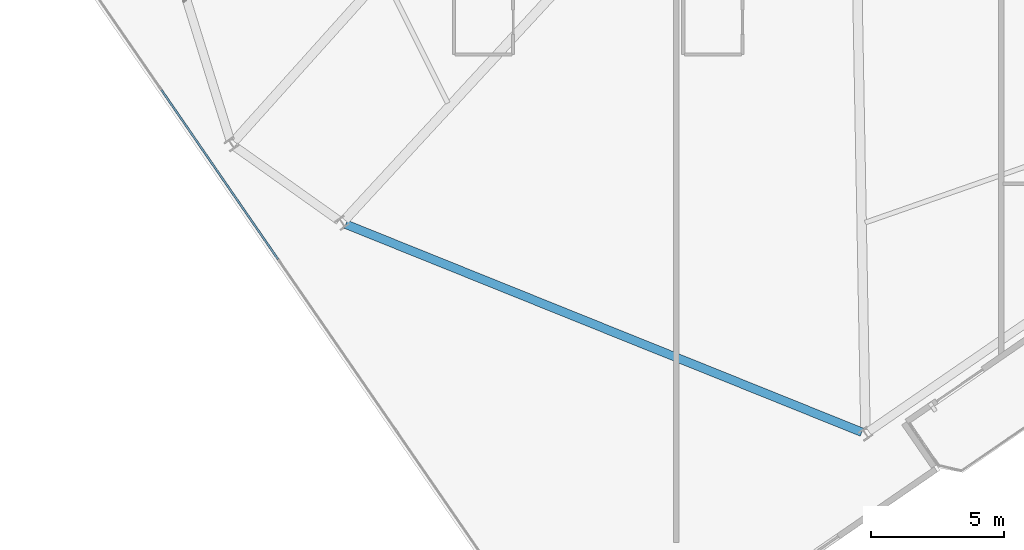
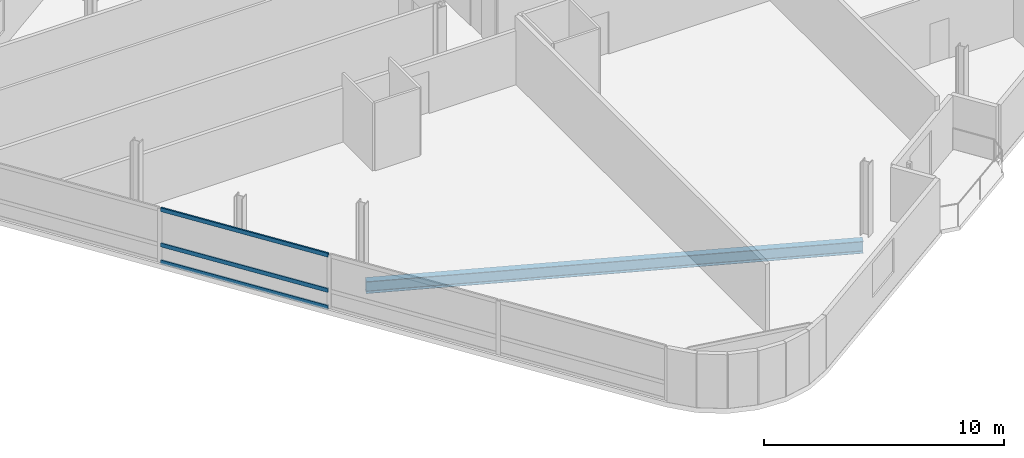
# One storey, part 5 of 23: 3 members, 1 beam, 1 element without a shape of its own.
"""IFC4 building model written with IfcOpenShell, lengths in metres."""

from ifc_helpers import new_model, si_unit, direction, frame, origin, origin_2d, place, context, subcontext, project, spatial, hollow_rectangle, i_section, extrude, material, layer, layer_set, material_profile, profile_set, type_object, element, aggregate, save


model = new_model("IFC4")

# Units and contexts
model_context = context("Model", 3, precision=1e-05, world=origin(), true_north=direction((0.0, 1.0)))
body_context = subcontext(model_context, "Body", "Model", "MODEL_VIEW")
ifc_project = project(units=[si_unit("LENGTHUNIT", "METRE"), si_unit("AREAUNIT", "SQUARE_METRE"), si_unit("VOLUMEUNIT", "CUBIC_METRE"), si_unit("PLANEANGLEUNIT", "RADIAN"), si_unit("MASSUNIT", "GRAM", prefix="KILO")], contexts=[model_context])

# Site, building, storey
site_placement = place(None, origin())
site = spatial("IfcSite", under=ifc_project, at=site_placement, CompositionType="ELEMENT")
building_placement = place(site_placement, origin())
building = spatial("IfcBuilding", under=site, at=building_placement, Name="Varnelok Gate Tower", CompositionType="ELEMENT")
storey_placement = place(building_placement, frame((0.0, 0.0, 273.0)))
storey = spatial("IfcBuildingStorey", under=building, at=storey_placement, Name="L70", CompositionType="ELEMENT", Elevation=273.0)

# Beam
ifc_material_1 = material(Name="Structural Steel ASTM A992 Grade 50", Category="steel")
ifc_material_profile_1 = material_profile(ifc_material_1, i_section(OverallWidth=0.323974609375, OverallDepth=0.611083984375, WebThickness=0.0126953125, FlangeThickness=0.01904296875, FilletRadius=0.01806640625, at=origin_2d()), Name="W24X104")
ifc_profile_set_1 = profile_set([ifc_material_profile_1], Name="Structural Steel ASTM A992 Grade 50")
beam_type = type_object("IfcBeamType", Name="BM-SPN-W24X104", PredefinedType="SPANDREL", material=ifc_profile_set_1)
beam_placement = place(storey_placement, frame((14.581787109375, 7.94775390625, -0.555419921875), z_axis=(0.927546574087, -0.373707576722, 0.0), x_axis=(0.373707576722, 0.927546574087, 0.0)))
element("IfcBeam", 1, at=beam_placement, inside=storey, type_object=beam_type, Name="L70 Perimeter Spandrel Beam 16", PredefinedType="SPANDREL", context=body_context, shape_type="SweptSolid", body=[
    extrude(i_section(OverallWidth=0.323974609375, OverallDepth=0.611083984375, WebThickness=0.0126953125, FlangeThickness=0.01904296875, FilletRadius=0.01806640625, at=origin_2d()), origin(), (0.0, 0.0, 1.0), 20.90087890625),
])

# Curtain wall, members
ifc_material_2 = material(Name="Anodized Aluminum Alloy 6063-T6", Category="aluminium")
ifc_layer = layer(ifc_material_2, 0.179931640625)
ifc_layer_set = layer_set([ifc_layer], Name="Anodized Aluminum Alloy 6063-T6")
curtain_wall_type = type_object("IfcCurtainWallType", Name="CW4-RESIDENCE-VISION", PredefinedType="USERDEFINED", material=ifc_layer_set)
curtain_wall_placement = place(storey_placement, origin())
curtain_wall = element("IfcCurtainWall", 2, at=curtain_wall_placement, inside=storey, type_object=curtain_wall_type, Name="L70 West End Vision Curtain Wall", ObjectType="UNITISED CURTAIN WALL", PredefinedType="USERDEFINED")
ifc_material_profile_2 = material_profile(ifc_material_2, hollow_rectangle(XDim=0.074951171875, YDim=0.199951171875, WallThickness=0.00390625, at=origin_2d()), Name="ALU200X75X4")
ifc_profile_set_2 = profile_set([ifc_material_profile_2], Name="Anodized Aluminum Alloy 6063-T6")
member_type = type_object("IfcMemberType", Name="CW-TRAN-200", PredefinedType="USERDEFINED", material=ifc_profile_set_2)
member_1_placement = place(storey_placement, frame((12.03515625, 6.6337890625, 0.03759765625), z_axis=(-0.567275705555, 0.823527943598, 0.0), x_axis=(-0.823527943598, -0.567275705555, 0.0)))
member_1 = element("IfcMember", 3, at=member_1_placement, type_object=member_type, Name="CW4 transom 3.1", ObjectType="TRANSOM", PredefinedType="USERDEFINED", context=body_context, shape_type="SweptSolid", body=[
    extrude(hollow_rectangle(XDim=0.074951171875, YDim=0.199951171875, WallThickness=0.00390625, at=origin_2d()), origin(), (0.0, 0.0, 1.0), 7.724853515625),
])
member_2_placement = place(storey_placement, frame((12.03515625, 6.6337890625, 0.89990234375), z_axis=(-0.567275705555, 0.823527943598, 0.0), x_axis=(-0.823527943598, -0.567275705555, 0.0)))
member_2 = element("IfcMember", 4, at=member_2_placement, type_object=member_type, Name="CW4 transom 3.2", ObjectType="TRANSOM", PredefinedType="USERDEFINED", context=body_context, shape_type="SweptSolid", body=[
    extrude(hollow_rectangle(XDim=0.074951171875, YDim=0.199951171875, WallThickness=0.00390625, at=origin_2d()), origin(), (0.0, 0.0, 1.0), 7.724853515625),
])
member_3_placement = place(storey_placement, frame((12.03515625, 6.6337890625, 2.6923828125), z_axis=(-0.567275705555, 0.823527943598, 0.0), x_axis=(-0.823527943598, -0.567275705555, 0.0)))
member_3 = element("IfcMember", 5, at=member_3_placement, type_object=member_type, Name="CW4 transom 3.3", ObjectType="TRANSOM", PredefinedType="USERDEFINED", context=body_context, shape_type="SweptSolid", body=[
    extrude(hollow_rectangle(XDim=0.074951171875, YDim=0.199951171875, WallThickness=0.00390625, at=origin_2d()), origin(), (0.0, 0.0, 1.0), 7.724853515625),
])
aggregate(curtain_wall, [member_1, member_2, member_3])

save(model, "model.ifc")
